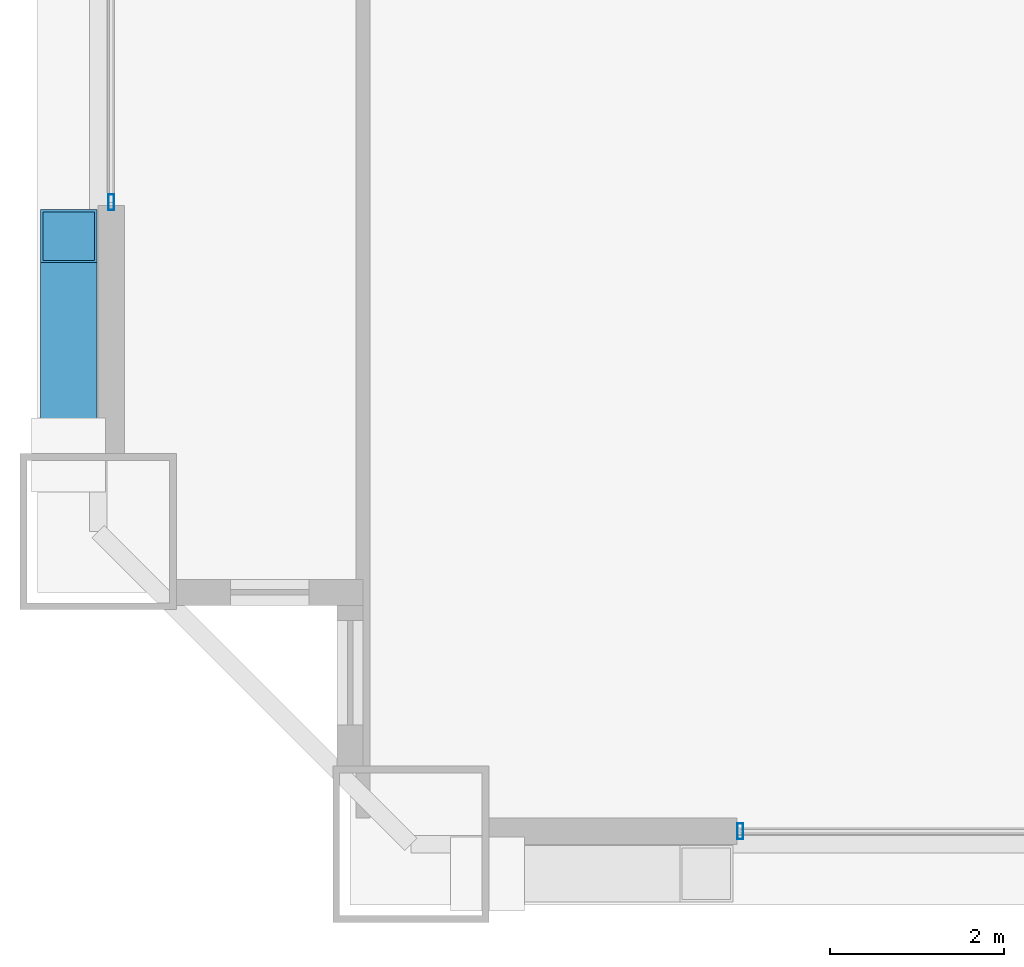
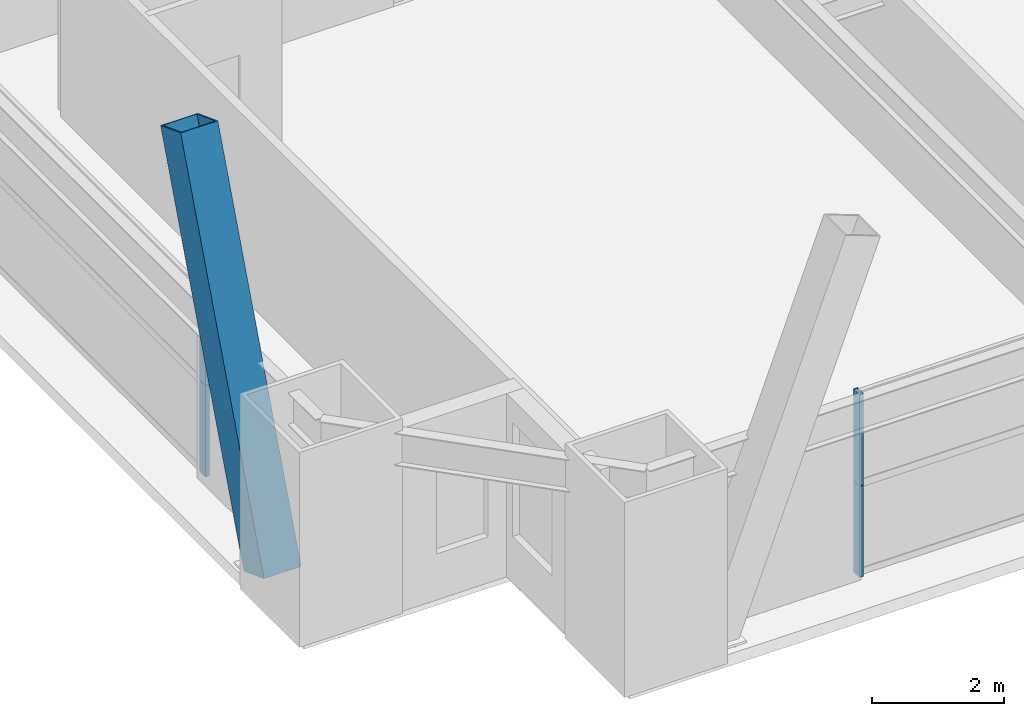
# One storey, part 3 of 43: 5 members, 2 elements without a shape of their own.
"""IFC4 building model written with IfcOpenShell, lengths in metres."""

import ifcopenshell
import ifcopenshell.guid

model = None  # the IFC model being written
_history = None  # IfcOwnerHistory: only IFC2X3 demands one
_inside = {}  # id of a spatial element -> (the spatial element, [elements in it])
_under = {}  # id of a project, library or spatial element -> (it, [spatial elements below it])
_declared = {}  # id of a project -> (the project, [libraries it declares])
_typed = {}  # id of a type object -> (the type object, [elements of that type])
_made_of = {}  # id of a material, layer set ... -> (it, [elements and type objects made of it])


def new_model(schema):
    """Start an empty IFC model of exactly this schema.

    Asked for "IFC4X3", IfcOpenShell would pick the latest addendum, in which some entities
    have other attributes; the version numbers below select the first issue.
    IFC2X3 requires an IfcOwnerHistory on every rooted entity: one is made here for all.
    """
    global model, _history
    if schema == "IFC4X3":
        model = ifcopenshell.file(schema_version=(4, 3, 0, 0))
    else:
        model = ifcopenshell.file(schema=schema)
    _inside.clear()
    _under.clear()
    _declared.clear()
    _typed.clear()
    _made_of.clear()
    _history = None
    if model.schema == "IFC2X3":
        org = make("IfcOrganization", Name="unknown")
        user = make(
            "IfcPersonAndOrganization",
            ThePerson=make("IfcPerson", FamilyName="unknown"),
            TheOrganization=org,
        )
        app = make(
            "IfcApplication",
            ApplicationDeveloper=org,
            Version="unknown",
            ApplicationFullName="unknown",
            ApplicationIdentifier="unknown",
        )
        _history = make(
            "IfcOwnerHistory",
            OwningUser=user,
            OwningApplication=app,
            ChangeAction="ADDED",
            CreationDate=0,
        )
    return model


def make(cls, **values):
    """One entity of the class cls with the attributes given. An attribute that is None is left unset."""
    return model.create_entity(
        cls, **{name: value for name, value in values.items() if value is not None}
    )


def rooted(cls, **values):
    """An entity with a GlobalId (a new one), such as an element, a storey or a relation."""
    return make(cls, GlobalId=ifcopenshell.guid.new(), OwnerHistory=_history, **values)


def si_unit(unit_type, name, prefix=None):
    """IfcSIUnit, for example si_unit("LENGTHUNIT", "METRE", prefix="MILLI")."""
    return make("IfcSIUnit", UnitType=unit_type, Prefix=prefix, Name=name)


def assignment(units):
    """IfcUnitAssignment: the units of a project."""
    return None if units is None else make("IfcUnitAssignment", Units=units)


def point(xyz):
    """IfcCartesianPoint."""
    return None if xyz is None else make("IfcCartesianPoint", Coordinates=xyz)


def direction(xyz):
    """IfcDirection."""
    return None if xyz is None else make("IfcDirection", DirectionRatios=xyz)


def frame(location, z_axis=None, x_axis=None):
    """IfcAxis2Placement3D, a coordinate frame: its origin and axes. An axis left out is left unset."""
    return make(
        "IfcAxis2Placement3D",
        Location=point(location),
        Axis=direction(z_axis),
        RefDirection=direction(x_axis),
    )


def frame_2d(location, x_axis=None):
    """IfcAxis2Placement2D, a coordinate frame in the plane: its origin and x axis."""
    return make(
        "IfcAxis2Placement2D", Location=point(location), RefDirection=direction(x_axis)
    )


def origin():
    """The frame at (0, 0, 0) with its axes left unset."""
    return frame((0.0, 0.0, 0.0))


def origin_2d():
    """The frame at (0, 0) in the plane with its x axis left unset."""
    return frame_2d((0.0, 0.0))


def place(relative_to, where):
    """IfcLocalPlacement: puts the frame where relative to a parent placement (None: the world)."""
    return make(
        "IfcLocalPlacement", PlacementRelTo=relative_to, RelativePlacement=where
    )


def context(
    kind, dimensions, precision=None, world=None, true_north=None, identifier=None
):
    """IfcGeometricRepresentationContext, for example the 3D "Model" context."""
    return make(
        "IfcGeometricRepresentationContext",
        ContextIdentifier=identifier,
        ContextType=kind,
        CoordinateSpaceDimension=dimensions,
        Precision=precision,
        WorldCoordinateSystem=world,
        TrueNorth=true_north,
    )


def subcontext(parent, identifier, kind, view, scale=None):
    """IfcGeometricRepresentationSubContext, for example "Body" below "Model"."""
    return make(
        "IfcGeometricRepresentationSubContext",
        ContextIdentifier=identifier,
        ContextType=kind,
        ParentContext=parent,
        TargetScale=scale,
        TargetView=view,
    )


def project(units=None, contexts=None):
    """IfcProject with its units and contexts."""
    return rooted(
        "IfcProject",
        Name="project",
        RepresentationContexts=contexts,
        UnitsInContext=assignment(units),
    )


def spatial(cls, under=None, at=None, **own):
    """A site, building, storey or space (cls), placed at a placement, below another one or the project."""
    s = rooted(cls, ObjectPlacement=at, **own)
    if under is not None:
        _under.setdefault(under.id(), (under, []))[1].append(s)
    return s


def profile(cls, at=None, kind="AREA", **sizes):
    """A parametric profile (cls). Its sizes go by their IFC names, for example OverallWidth=200.0."""
    return make(cls, ProfileType=kind, Position=at, **sizes)


def hollow_rectangle(**sizes):
    """IfcRectangleHollowProfileDef."""
    return profile("IfcRectangleHollowProfileDef", **sizes)


def extrude(swept, where, along, depth):
    """IfcExtrudedAreaSolid: the profile swept, set in the frame where, extruded along a direction by depth."""
    return make(
        "IfcExtrudedAreaSolid",
        SweptArea=swept,
        Position=where,
        ExtrudedDirection=direction(along),
        Depth=depth,
    )


def shape(context_of_items, identifier, shape_type, items):
    """IfcShapeRepresentation: the items that make up one representation, for example the "Body"."""
    return make(
        "IfcShapeRepresentation",
        ContextOfItems=context_of_items,
        RepresentationIdentifier=identifier,
        RepresentationType=shape_type,
        Items=items,
    )


def source(mapping_origin, context_of_items, identifier, shape_type, items):
    """IfcRepresentationMap: a shape defined once, which mapped items show again and again."""
    return make(
        "IfcRepresentationMap",
        MappingOrigin=mapping_origin,
        MappedRepresentation=shape(context_of_items, identifier, shape_type, items),
    )


def transform(
    local_origin,
    x_axis=None,
    y_axis=None,
    z_axis=None,
    scale=None,
    scale2=None,
    scale3=None,
    uniform=True,
):
    """IfcCartesianTransformationOperator3D, or its non-uniform kind. x_axis, y_axis, z_axis: its Axis1, 2, 3."""
    if uniform:
        return make(
            "IfcCartesianTransformationOperator3D",
            Axis1=direction(x_axis),
            Axis2=direction(y_axis),
            LocalOrigin=point(local_origin),
            Scale=scale,
            Axis3=direction(z_axis),
        )
    return make(
        "IfcCartesianTransformationOperator3DnonUniform",
        Axis1=direction(x_axis),
        Axis2=direction(y_axis),
        LocalOrigin=point(local_origin),
        Scale=scale,
        Axis3=direction(z_axis),
        Scale2=scale2,
        Scale3=scale3,
    )


def mapped(mapping_source, mapping_target):
    """IfcMappedItem: shows the shape of a source again, moved by a transform."""
    return make(
        "IfcMappedItem", MappingSource=mapping_source, MappingTarget=mapping_target
    )


def material(Name=None, Category=None):
    """IfcMaterial."""
    return make("IfcMaterial", Name=Name, Category=Category)


def layer(
    of_material, thickness, ventilated=None, Name=None, Category=None, Priority=None
):
    """IfcMaterialLayer: one layer of a wall or slab, of a material (None: an air gap)."""
    return make(
        "IfcMaterialLayer",
        Material=of_material,
        LayerThickness=thickness,
        IsVentilated=ventilated,
        Name=Name,
        Category=Category,
        Priority=Priority,
    )


def layer_set(layers, Name=None):
    """IfcMaterialLayerSet."""
    return make("IfcMaterialLayerSet", MaterialLayers=layers, LayerSetName=Name)


def material_profile(
    of_material, cross_section, Name=None, Category=None, Priority=None
):
    """IfcMaterialProfile: a cross section and its material."""
    return make(
        "IfcMaterialProfile",
        Name=Name,
        Material=of_material,
        Profile=cross_section,
        Priority=Priority,
        Category=Category,
    )


def profile_set(profiles, Name=None, composite=None):
    """IfcMaterialProfileSet."""
    return make(
        "IfcMaterialProfileSet",
        Name=Name,
        MaterialProfiles=profiles,
        CompositeProfile=composite,
    )


def made_of(thing, what):
    """Note that an element or type object is made of a material, layer set ...; save() writes the relation."""
    if what is not None:
        _made_of.setdefault(what.id(), (what, []))[1].append(thing)
    return thing


def type_object(cls, material=None, **own):
    """A type object (cls), such as IfcWallType, which elements share."""
    return made_of(rooted(cls, **own), material)


def element(
    cls,
    number,
    at=None,
    inside=None,
    cuts=None,
    type_object=None,
    material=None,
    context=None,
    identifier="Body",
    shape_type=None,
    held_by="IfcProductDefinitionShape",
    body=None,
    shapes=None,
    **own,
):
    """One element of the class cls, such as IfcWall. Its Tag is "e" and its number.

    at: its placement. inside: the storey or other place that contains it. cuts: it is an
    opening in that element (IfcRelVoidsElement). A single representation is given by context,
    identifier, shape_type and body (its items); several are given by shapes. held_by: the class
    of the entity that holds the representations. save() writes the other relations.
    """
    e = rooted(cls, Tag="e%d" % number, ObjectPlacement=at, **own)
    if body is not None:
        shapes = [shape(context, identifier, shape_type, body)]
    if shapes is not None:
        e.Representation = make(held_by, Representations=shapes)
    if inside is not None:
        _inside.setdefault(inside.id(), (inside, []))[1].append(e)
    if cuts is not None:
        rooted(
            "IfcRelVoidsElement", RelatingBuildingElement=cuts, RelatedOpeningElement=e
        )
    if type_object is not None:
        _typed.setdefault(type_object.id(), (type_object, []))[1].append(e)
    return made_of(e, material)


def aggregate(whole, parts):
    """IfcRelAggregates: a whole, such as a stair, and the parts it consists of."""
    return rooted("IfcRelAggregates", RelatingObject=whole, RelatedObjects=parts)


def save(model, path):
    """Write the relations noted so far, then the file.

    IfcRelAggregates (storeys below a building ...), IfcRelContainedInSpatialStructure (elements
    in a storey), IfcRelDefinesByType, IfcRelAssociatesMaterial and IfcRelDeclares: one each for
    every whole, place, type object, material and project.
    """
    for whole, parts in _under.values():
        aggregate(whole, parts)
    for where, things in _inside.values():
        rooted(
            "IfcRelContainedInSpatialStructure",
            RelatedElements=things,
            RelatingStructure=where,
        )
    for kind, things in _typed.values():
        rooted("IfcRelDefinesByType", RelatedObjects=things, RelatingType=kind)
    for what, things in _made_of.values():
        rooted("IfcRelAssociatesMaterial", RelatedObjects=things, RelatingMaterial=what)
    for by, libraries in _declared.values():
        rooted("IfcRelDeclares", RelatingContext=by, RelatedDefinitions=libraries)
    model.write(path)


model = new_model("IFC4")

# Units and contexts
model_context = context("Model", 3, precision=1e-05, world=origin(), true_north=direction((0.0, 1.0)))
body_context = subcontext(model_context, "Body", "Model", "MODEL_VIEW")
ifc_project = project(units=[si_unit("LENGTHUNIT", "METRE"), si_unit("AREAUNIT", "SQUARE_METRE"), si_unit("VOLUMEUNIT", "CUBIC_METRE"), si_unit("PLANEANGLEUNIT", "RADIAN"), si_unit("MASSUNIT", "GRAM", prefix="KILO"), si_unit("THERMODYNAMICTEMPERATUREUNIT", "KELVIN"), si_unit("POWERUNIT", "WATT")], contexts=[model_context])

# Site, building, storey
site_placement = place(None, origin())
site = spatial("IfcSite", under=ifc_project, at=site_placement, CompositionType="ELEMENT")
building_placement = place(site_placement, origin())
building = spatial("IfcBuilding", under=site, at=building_placement, Name="Yuzanri Waterfront Tower", CompositionType="ELEMENT")
storey_placement = place(building_placement, frame((0.0, 0.0, 46.0)))
storey = spatial("IfcBuildingStorey", under=building, at=storey_placement, Name="L11", CompositionType="ELEMENT", Elevation=46.0)

# Member
ifc_material_1 = material(Name="Steel Q420GJC", Category="steel")
ifc_material_profile_1 = material_profile(ifc_material_1, hollow_rectangle(XDim=0.64990234375, YDim=0.64990234375, WallThickness=0.028076171875, at=origin_2d()), Name="RHS 650x650x28")
ifc_profile_set_1 = profile_set([ifc_material_profile_1], Name="Steel Q420GJC")
member_type_1 = type_object("IfcMemberType", Name="Mega Brace Lower Q420GJC RHS 650x650x28", PredefinedType="BRACE", material=ifc_profile_set_1)
shared_shape_1 = source(origin(), body_context, "Body", "SweptSolid", [
    extrude(hollow_rectangle(XDim=0.64990234375, YDim=0.64990234375, WallThickness=0.028076171875, at=origin_2d()), origin(), (0.0, 0.0, 1.0), 7.158203125),
])
member_1_placement = place(storey_placement, frame((11.56005859375, 5.179931640625, 0.179931640625), z_axis=(0.0, 0.352046480343, 0.935982518896), x_axis=(-1.0, 0.0, 0.0)))
element("IfcMember", 1, at=member_1_placement, inside=storey, type_object=member_type_1, Name="L11-L12 Perimeter Mega-Brace W-L", PredefinedType="BRACE", context=body_context, shape_type="MappedRepresentation", body=[
    mapped(shared_shape_1, transform((0.0, 0.0, 0.0), scale=1.0)),
])

# Curtain wall, members
ifc_material_2 = material(Name="Anodized Architectural Bronze", Category="metal")
ifc_layer = layer(ifc_material_2, 0.159912109375)
ifc_layer_set = layer_set([ifc_layer], Name="Anodized Architectural Bronze")
curtain_wall_type = type_object("IfcCurtainWallType", Name="Anodized Bronze Hotel Lower-Tier Recessed Unitized Curtain Wall 8100", PredefinedType="NOTDEFINED", material=ifc_layer_set)
curtain_wall_1_placement = place(storey_placement, origin())
curtain_wall_1 = element("IfcCurtainWall", 2, at=curtain_wall_1_placement, inside=storey, type_object=curtain_wall_type, Name="L11 Curtain Wall CW-L11-SL", PredefinedType="NOTDEFINED")
ifc_material_3 = material(Name="Anodized Architectural Bronze", Category="metal")
ifc_material_profile_2 = material_profile(ifc_material_3, hollow_rectangle(XDim=0.070068359375, YDim=0.179931640625, WallThickness=0.00390625, at=origin_2d()), Name="CWM 70x180")
ifc_profile_set_2 = profile_set([ifc_material_profile_2], Name="Anodized Architectural Bronze")
member_type_2 = type_object("IfcMemberType", Name="Anodized Bronze Standard Curtain-Wall Mullion 70x180", PredefinedType="MULLION", material=ifc_profile_set_2)
shared_shape_2 = source(origin(), body_context, "Body", "SweptSolid", [
    extrude(hollow_rectangle(XDim=0.070068359375, YDim=0.179931640625, WallThickness=0.00390625, at=origin_2d()), origin(), (0.0, 0.0, 1.0), 1.68798828125),
])
member_2_placement = place(storey_placement, frame((19.2900390625, 0.85009765625, 0.0), z_axis=(0.0, 0.0, 1.0), x_axis=(1.0, 0.0, 0.0)))
member_2 = element("IfcMember", 3, at=member_2_placement, type_object=member_type_2, Name="CW-L11-SL Lower Mullion 00", PredefinedType="MULLION", context=body_context, shape_type="MappedRepresentation", body=[
    mapped(shared_shape_2, transform((0.0, 0.0, 0.0), scale=1.0)),
])
member_3_placement = place(storey_placement, frame((19.2900390625, 0.85009765625, 1.69189453125), z_axis=(0.0, 0.0, 1.0), x_axis=(1.0, 0.0, 0.0)))
member_3 = element("IfcMember", 4, at=member_3_placement, type_object=member_type_2, Name="CW-L11-SL Upper Mullion 00", PredefinedType="MULLION", context=body_context, shape_type="MappedRepresentation", body=[
    mapped(shared_shape_2, transform((0.0, 0.0, 0.0), scale=1.0)),
])
aggregate(curtain_wall_1, [member_2, member_3])

curtain_wall_2_placement = place(storey_placement, origin())
curtain_wall_2 = element("IfcCurtainWall", 5, at=curtain_wall_2_placement, inside=storey, type_object=curtain_wall_type, Name="L11 Curtain Wall CW-L11-WL", PredefinedType="NOTDEFINED")
member_4_placement = place(storey_placement, frame((12.050048828125, 8.090087890625, 0.0), z_axis=(0.0, 0.0, 1.0), x_axis=(1.0, 0.0, 0.0)))
member_4 = element("IfcMember", 6, at=member_4_placement, type_object=member_type_2, Name="CW-L11-WL Lower Mullion 00", PredefinedType="MULLION", context=body_context, shape_type="MappedRepresentation", body=[
    mapped(shared_shape_2, transform((0.0, 0.0, 0.0), scale=1.0)),
])
member_5_placement = place(storey_placement, frame((12.050048828125, 8.090087890625, 1.69189453125), z_axis=(0.0, 0.0, 1.0), x_axis=(1.0, 0.0, 0.0)))
member_5 = element("IfcMember", 7, at=member_5_placement, type_object=member_type_2, Name="CW-L11-WL Upper Mullion 00", PredefinedType="MULLION", context=body_context, shape_type="MappedRepresentation", body=[
    mapped(shared_shape_2, transform((0.0, 0.0, 0.0), scale=1.0)),
])
aggregate(curtain_wall_2, [member_4, member_5])

save(model, "model.ifc")
